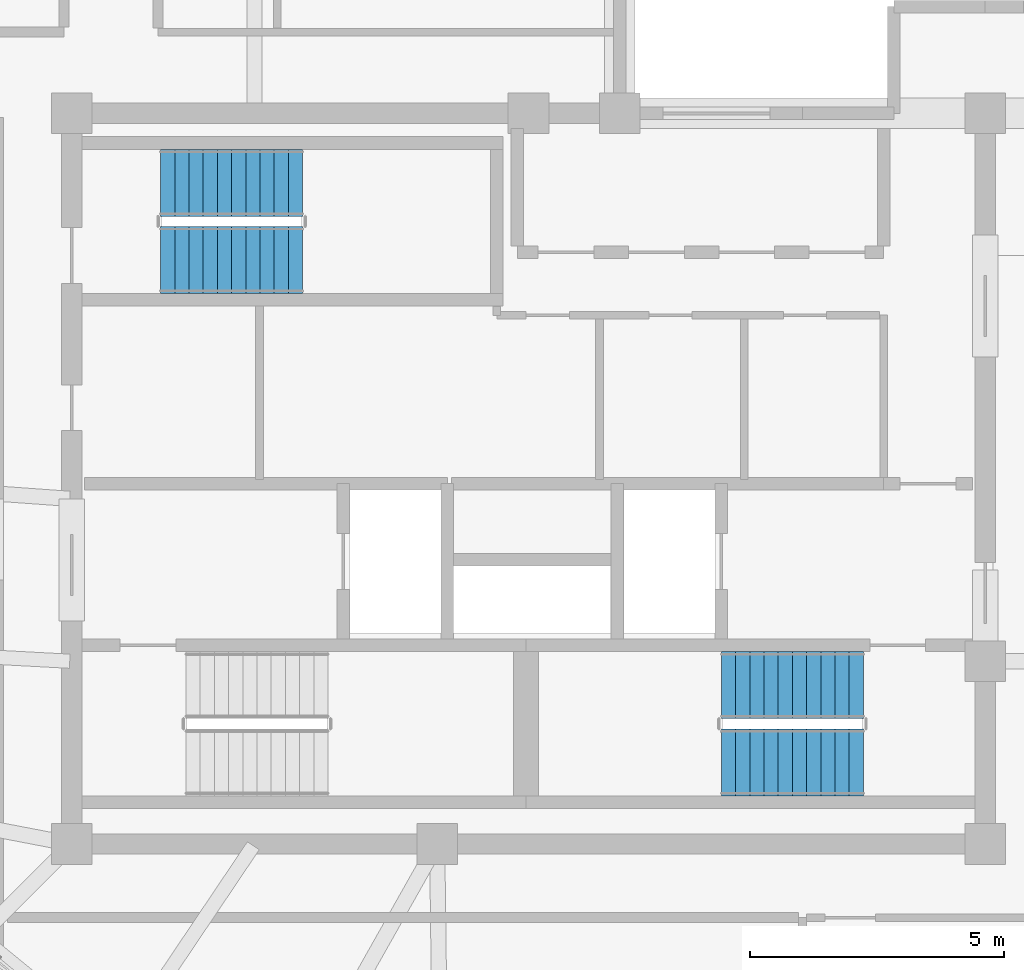
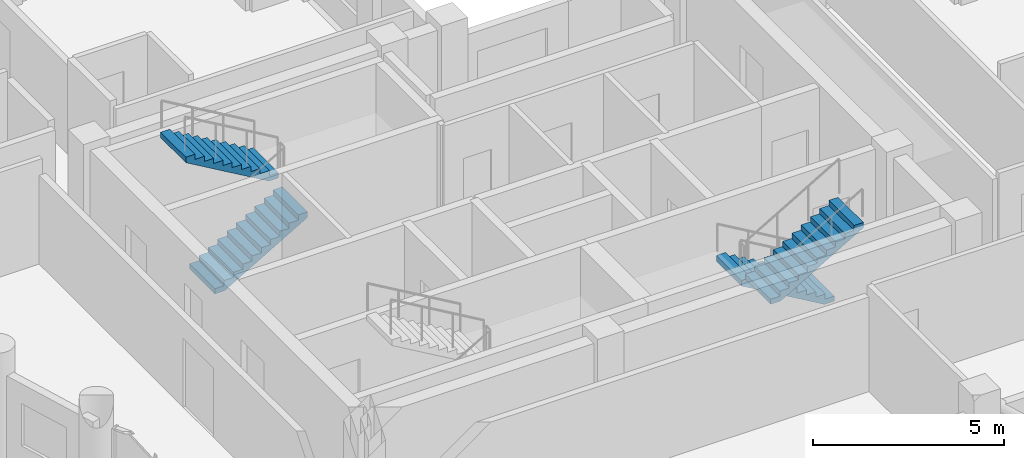
# One storey, part 10 of 11: 4 stair flights, 2 elements without a shape of their own.
"""IFC4 building model written with IfcOpenShell, lengths in metres."""

import ifcopenshell
import ifcopenshell.guid

model = None  # the IFC model being written
_history = None  # IfcOwnerHistory: only IFC2X3 demands one
_inside = {}  # id of a spatial element -> (the spatial element, [elements in it])
_under = {}  # id of a project, library or spatial element -> (it, [spatial elements below it])
_declared = {}  # id of a project -> (the project, [libraries it declares])
_typed = {}  # id of a type object -> (the type object, [elements of that type])
_made_of = {}  # id of a material, layer set ... -> (it, [elements and type objects made of it])


def new_model(schema):
    """Start an empty IFC model of exactly this schema.

    Asked for "IFC4X3", IfcOpenShell would pick the latest addendum, in which some entities
    have other attributes; the version numbers below select the first issue.
    IFC2X3 requires an IfcOwnerHistory on every rooted entity: one is made here for all.
    """
    global model, _history
    if schema == "IFC4X3":
        model = ifcopenshell.file(schema_version=(4, 3, 0, 0))
    else:
        model = ifcopenshell.file(schema=schema)
    _inside.clear()
    _under.clear()
    _declared.clear()
    _typed.clear()
    _made_of.clear()
    _history = None
    if model.schema == "IFC2X3":
        org = make("IfcOrganization", Name="unknown")
        user = make(
            "IfcPersonAndOrganization",
            ThePerson=make("IfcPerson", FamilyName="unknown"),
            TheOrganization=org,
        )
        app = make(
            "IfcApplication",
            ApplicationDeveloper=org,
            Version="unknown",
            ApplicationFullName="unknown",
            ApplicationIdentifier="unknown",
        )
        _history = make(
            "IfcOwnerHistory",
            OwningUser=user,
            OwningApplication=app,
            ChangeAction="ADDED",
            CreationDate=0,
        )
    return model


def make(cls, **values):
    """One entity of the class cls with the attributes given. An attribute that is None is left unset."""
    return model.create_entity(
        cls, **{name: value for name, value in values.items() if value is not None}
    )


def rooted(cls, **values):
    """An entity with a GlobalId (a new one), such as an element, a storey or a relation."""
    return make(cls, GlobalId=ifcopenshell.guid.new(), OwnerHistory=_history, **values)


def si_unit(unit_type, name, prefix=None):
    """IfcSIUnit, for example si_unit("LENGTHUNIT", "METRE", prefix="MILLI")."""
    return make("IfcSIUnit", UnitType=unit_type, Prefix=prefix, Name=name)


def assignment(units):
    """IfcUnitAssignment: the units of a project."""
    return None if units is None else make("IfcUnitAssignment", Units=units)


def point(xyz):
    """IfcCartesianPoint."""
    return None if xyz is None else make("IfcCartesianPoint", Coordinates=xyz)


def direction(xyz):
    """IfcDirection."""
    return None if xyz is None else make("IfcDirection", DirectionRatios=xyz)


def frame(location, z_axis=None, x_axis=None):
    """IfcAxis2Placement3D, a coordinate frame: its origin and axes. An axis left out is left unset."""
    return make(
        "IfcAxis2Placement3D",
        Location=point(location),
        Axis=direction(z_axis),
        RefDirection=direction(x_axis),
    )


def origin():
    """The frame at (0, 0, 0) with its axes left unset."""
    return frame((0.0, 0.0, 0.0))


def place(relative_to, where):
    """IfcLocalPlacement: puts the frame where relative to a parent placement (None: the world)."""
    return make(
        "IfcLocalPlacement", PlacementRelTo=relative_to, RelativePlacement=where
    )


def context(
    kind, dimensions, precision=None, world=None, true_north=None, identifier=None
):
    """IfcGeometricRepresentationContext, for example the 3D "Model" context."""
    return make(
        "IfcGeometricRepresentationContext",
        ContextIdentifier=identifier,
        ContextType=kind,
        CoordinateSpaceDimension=dimensions,
        Precision=precision,
        WorldCoordinateSystem=world,
        TrueNorth=true_north,
    )


def subcontext(parent, identifier, kind, view, scale=None):
    """IfcGeometricRepresentationSubContext, for example "Body" below "Model"."""
    return make(
        "IfcGeometricRepresentationSubContext",
        ContextIdentifier=identifier,
        ContextType=kind,
        ParentContext=parent,
        TargetScale=scale,
        TargetView=view,
    )


def project(units=None, contexts=None):
    """IfcProject with its units and contexts."""
    return rooted(
        "IfcProject",
        Name="project",
        RepresentationContexts=contexts,
        UnitsInContext=assignment(units),
    )


def spatial(cls, under=None, at=None, **own):
    """A site, building, storey or space (cls), placed at a placement, below another one or the project."""
    s = rooted(cls, ObjectPlacement=at, **own)
    if under is not None:
        _under.setdefault(under.id(), (under, []))[1].append(s)
    return s


def polyline(points):
    """IfcPolyline through the points."""
    return make("IfcPolyline", Points=[point(p) for p in points])


def outline(outer, holes=None, kind="AREA"):
    """IfcArbitraryClosedProfileDef: a profile drawn as a closed curve; with holes, ...WithVoids."""
    if holes is None:
        return make("IfcArbitraryClosedProfileDef", ProfileType=kind, OuterCurve=outer)
    return make(
        "IfcArbitraryProfileDefWithVoids",
        ProfileType=kind,
        OuterCurve=outer,
        InnerCurves=holes,
    )


def extrude(swept, where, along, depth):
    """IfcExtrudedAreaSolid: the profile swept, set in the frame where, extruded along a direction by depth."""
    return make(
        "IfcExtrudedAreaSolid",
        SweptArea=swept,
        Position=where,
        ExtrudedDirection=direction(along),
        Depth=depth,
    )


def shape(context_of_items, identifier, shape_type, items):
    """IfcShapeRepresentation: the items that make up one representation, for example the "Body"."""
    return make(
        "IfcShapeRepresentation",
        ContextOfItems=context_of_items,
        RepresentationIdentifier=identifier,
        RepresentationType=shape_type,
        Items=items,
    )


def material(Name=None, Category=None):
    """IfcMaterial."""
    return make("IfcMaterial", Name=Name, Category=Category)


def made_of(thing, what):
    """Note that an element or type object is made of a material, layer set ...; save() writes the relation."""
    if what is not None:
        _made_of.setdefault(what.id(), (what, []))[1].append(thing)
    return thing


def type_object(cls, material=None, **own):
    """A type object (cls), such as IfcWallType, which elements share."""
    return made_of(rooted(cls, **own), material)


def element(
    cls,
    number,
    at=None,
    inside=None,
    cuts=None,
    type_object=None,
    material=None,
    context=None,
    identifier="Body",
    shape_type=None,
    held_by="IfcProductDefinitionShape",
    body=None,
    shapes=None,
    **own,
):
    """One element of the class cls, such as IfcWall. Its Tag is "e" and its number.

    at: its placement. inside: the storey or other place that contains it. cuts: it is an
    opening in that element (IfcRelVoidsElement). A single representation is given by context,
    identifier, shape_type and body (its items); several are given by shapes. held_by: the class
    of the entity that holds the representations. save() writes the other relations.
    """
    e = rooted(cls, Tag="e%d" % number, ObjectPlacement=at, **own)
    if body is not None:
        shapes = [shape(context, identifier, shape_type, body)]
    if shapes is not None:
        e.Representation = make(held_by, Representations=shapes)
    if inside is not None:
        _inside.setdefault(inside.id(), (inside, []))[1].append(e)
    if cuts is not None:
        rooted(
            "IfcRelVoidsElement", RelatingBuildingElement=cuts, RelatedOpeningElement=e
        )
    if type_object is not None:
        _typed.setdefault(type_object.id(), (type_object, []))[1].append(e)
    return made_of(e, material)


def aggregate(whole, parts):
    """IfcRelAggregates: a whole, such as a stair, and the parts it consists of."""
    return rooted("IfcRelAggregates", RelatingObject=whole, RelatedObjects=parts)


def save(model, path):
    """Write the relations noted so far, then the file.

    IfcRelAggregates (storeys below a building ...), IfcRelContainedInSpatialStructure (elements
    in a storey), IfcRelDefinesByType, IfcRelAssociatesMaterial and IfcRelDeclares: one each for
    every whole, place, type object, material and project.
    """
    for whole, parts in _under.values():
        aggregate(whole, parts)
    for where, things in _inside.values():
        rooted(
            "IfcRelContainedInSpatialStructure",
            RelatedElements=things,
            RelatingStructure=where,
        )
    for kind, things in _typed.values():
        rooted("IfcRelDefinesByType", RelatedObjects=things, RelatingType=kind)
    for what, things in _made_of.values():
        rooted("IfcRelAssociatesMaterial", RelatedObjects=things, RelatingMaterial=what)
    for by, libraries in _declared.values():
        rooted("IfcRelDeclares", RelatingContext=by, RelatedDefinitions=libraries)
    model.write(path)


model = new_model("IFC4")

# Units and contexts
model_context = context("Model", 3, precision=1e-05, world=origin(), true_north=direction((0.0, 1.0)))
body_context = subcontext(model_context, "Body", "Model", "MODEL_VIEW")
ifc_project = project(units=[si_unit("LENGTHUNIT", "METRE"), si_unit("AREAUNIT", "SQUARE_METRE"), si_unit("VOLUMEUNIT", "CUBIC_METRE"), si_unit("PLANEANGLEUNIT", "RADIAN"), si_unit("MASSUNIT", "GRAM", prefix="KILO")], contexts=[model_context])

# Site, building, storey
site_placement = place(None, origin())
site = spatial("IfcSite", under=ifc_project, at=site_placement, CompositionType="ELEMENT")
building_placement = place(site_placement, origin())
building = spatial("IfcBuilding", under=site, at=building_placement, Name="Solnavia Interchange Tower", CompositionType="ELEMENT")
storey_placement = place(building_placement, frame((0.0, 0.0, 284.60009765625)))
storey = spatial("IfcBuildingStorey", under=building, at=storey_placement, Name="L72", CompositionType="ELEMENT", Elevation=284.60009765625)

# Stair, stair flights
ifc_material = material(Name="Concrete C40/50", Category="concrete")
stair_type = type_object("IfcStairType", Name="Stair-Dogleg-RC", PredefinedType="HALF_TURN_STAIR", material=ifc_material)
stair_1_placement = place(storey_placement, origin())
stair_1 = element("IfcStair", 1, at=stair_1_placement, inside=storey, type_object=stair_type, Name="L72 Core exit stair 2", PredefinedType="HALF_TURN_STAIR")
stair_flight_type = type_object("IfcStairFlightType", Name="StairFlight-RC-150", PredefinedType="STRAIGHT", material=ifc_material)
stair_flight_1_placement = place(storey_placement, frame((30.0, 13.929931640625, 0.0), z_axis=(0.0, 0.0, 1.0), x_axis=(-1.0, 0.0, 0.0)))
stair_flight_1 = element("IfcStairFlight", 2, at=stair_flight_1_placement, type_object=stair_flight_type, Name="ST-2 flight 1", NumberOfRisers=11, NumberOfTreads=10, PredefinedType="STRAIGHT", RiserHeight=0.163636364, TreadLength=0.28, context=body_context, shape_type="SweptSolid", body=[
    extrude(outline(polyline([(0.0, 0.0), (0.0, 0.16357421875), (0.280029296875, 0.16357421875), (0.280029296875, 0.327392578125), (0.56005859375, 0.327392578125), (0.56005859375, 0.490966796875), (0.840087890625, 0.490966796875), (0.840087890625, 0.654541015625), (1.1201171875, 0.654541015625), (1.1201171875, 0.818115234375), (1.39990234375, 0.818115234375), (1.39990234375, 0.98193359375), (1.679931640625, 0.98193359375), (1.679931640625, 1.1455078125), (1.9599609375, 1.1455078125), (1.9599609375, 1.30908203125), (2.239990234375, 1.30908203125), (2.239990234375, 1.47265625), (2.52001953125, 1.47265625), (2.52001953125, 1.636474609375), (2.800048828125, 1.636474609375), (2.800048828125, 1.800048828125), (2.800048828125, 1.462646484375), (0.297119140625, 0.0), (0.0, 0.0)])), frame((0.0, 0.66015625, 0.0), z_axis=(0.0, -1.0, 0.0), x_axis=(1.0, 0.0, 0.0)), (0.0, 0.0, 1.0), 1.320068359375),
])
stair_flight_2_placement = place(storey_placement, frame((27.199951171875, 12.409912109375, 1.7998046875), z_axis=(0.0, 0.0, 1.0), x_axis=(1.0, 0.0, 0.0)))
stair_flight_2 = element("IfcStairFlight", 3, at=stair_flight_2_placement, type_object=stair_flight_type, Name="ST-2 flight 2", NumberOfRisers=11, NumberOfTreads=10, PredefinedType="STRAIGHT", RiserHeight=0.163636364, TreadLength=0.28, context=body_context, shape_type="SweptSolid", body=[
    extrude(outline(polyline([(0.0, 0.0), (0.0, 0.16357421875), (0.280029296875, 0.16357421875), (0.280029296875, 0.327392578125), (0.56005859375, 0.327392578125), (0.56005859375, 0.490966796875), (0.840087890625, 0.490966796875), (0.840087890625, 0.654541015625), (1.1201171875, 0.654541015625), (1.1201171875, 0.818115234375), (1.39990234375, 0.818115234375), (1.39990234375, 0.98193359375), (1.679931640625, 0.98193359375), (1.679931640625, 1.1455078125), (1.9599609375, 1.1455078125), (1.9599609375, 1.30908203125), (2.239990234375, 1.30908203125), (2.239990234375, 1.47265625), (2.52001953125, 1.47265625), (2.52001953125, 1.636474609375), (2.800048828125, 1.636474609375), (2.800048828125, 1.800048828125), (2.800048828125, 1.462646484375), (0.297119140625, 0.0), (0.0, 0.0)])), frame((0.0, 0.66015625, 0.0), z_axis=(0.0, -1.0, 0.0), x_axis=(1.0, 0.0, 0.0)), (0.0, 0.0, 1.0), 1.320068359375),
])
aggregate(stair_1, [stair_flight_1, stair_flight_2])

stair_2_placement = place(storey_placement, origin())
stair_2 = element("IfcStair", 4, at=stair_2_placement, inside=storey, type_object=stair_type, Name="L72 Core exit stair 3", PredefinedType="HALF_TURN_STAIR")
stair_flight_3_placement = place(storey_placement, frame((16.14990234375, 22.31005859375, 0.0), z_axis=(0.0, 0.0, 1.0), x_axis=(1.0, 0.0, 0.0)))
stair_flight_3 = element("IfcStairFlight", 5, at=stair_flight_3_placement, type_object=stair_flight_type, Name="ST-3 flight 1", NumberOfRisers=11, NumberOfTreads=10, PredefinedType="STRAIGHT", RiserHeight=0.163636364, TreadLength=0.28, context=body_context, shape_type="SweptSolid", body=[
    extrude(outline(polyline([(0.0, 0.0), (0.0, 0.16357421875), (0.280029296875, 0.16357421875), (0.280029296875, 0.327392578125), (0.56005859375, 0.327392578125), (0.56005859375, 0.490966796875), (0.840087890625, 0.490966796875), (0.840087890625, 0.654541015625), (1.1201171875, 0.654541015625), (1.1201171875, 0.818115234375), (1.39990234375, 0.818115234375), (1.39990234375, 0.98193359375), (1.679931640625, 0.98193359375), (1.679931640625, 1.1455078125), (1.9599609375, 1.1455078125), (1.9599609375, 1.30908203125), (2.239990234375, 1.30908203125), (2.239990234375, 1.47265625), (2.52001953125, 1.47265625), (2.52001953125, 1.636474609375), (2.800048828125, 1.636474609375), (2.800048828125, 1.800048828125), (2.800048828125, 1.462646484375), (0.297119140625, 0.0), (0.0, 0.0)])), frame((0.0, 0.66015625, 0.0), z_axis=(0.0, -1.0, 0.0), x_axis=(1.0, 0.0, 0.0)), (0.0, 0.0, 1.0), 1.320068359375),
])
stair_flight_4_placement = place(storey_placement, frame((18.949951171875, 23.830078125, 1.7998046875), z_axis=(0.0, 0.0, 1.0), x_axis=(-1.0, 0.0, 0.0)))
stair_flight_4 = element("IfcStairFlight", 6, at=stair_flight_4_placement, type_object=stair_flight_type, Name="ST-3 flight 2", NumberOfRisers=11, NumberOfTreads=10, PredefinedType="STRAIGHT", RiserHeight=0.163636364, TreadLength=0.28, context=body_context, shape_type="SweptSolid", body=[
    extrude(outline(polyline([(0.0, 0.0), (0.0, 0.16357421875), (0.280029296875, 0.16357421875), (0.280029296875, 0.327392578125), (0.56005859375, 0.327392578125), (0.56005859375, 0.490966796875), (0.840087890625, 0.490966796875), (0.840087890625, 0.654541015625), (1.1201171875, 0.654541015625), (1.1201171875, 0.818115234375), (1.39990234375, 0.818115234375), (1.39990234375, 0.98193359375), (1.679931640625, 0.98193359375), (1.679931640625, 1.1455078125), (1.9599609375, 1.1455078125), (1.9599609375, 1.30908203125), (2.239990234375, 1.30908203125), (2.239990234375, 1.47265625), (2.52001953125, 1.47265625), (2.52001953125, 1.636474609375), (2.800048828125, 1.636474609375), (2.800048828125, 1.800048828125), (2.800048828125, 1.462646484375), (0.297119140625, 0.0), (0.0, 0.0)])), frame((0.0, 0.66015625, 0.0), z_axis=(0.0, -1.0, 0.0), x_axis=(1.0, 0.0, 0.0)), (0.0, 0.0, 1.0), 1.320068359375),
])
aggregate(stair_2, [stair_flight_3, stair_flight_4])

save(model, "model.ifc")
